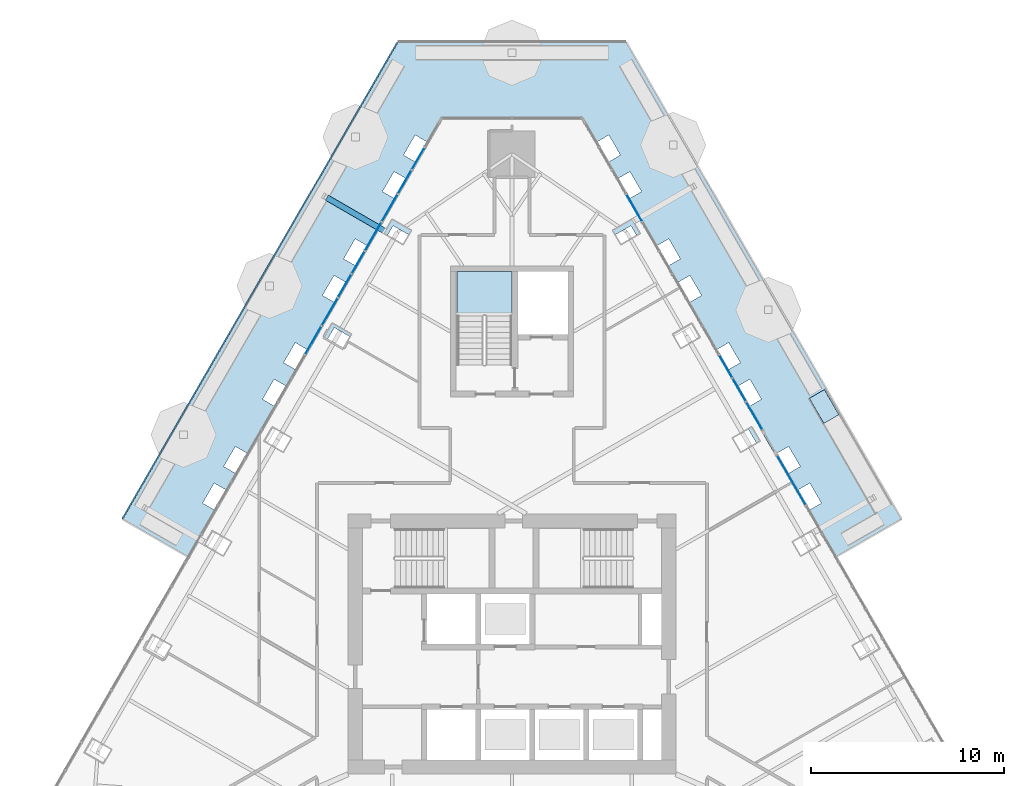
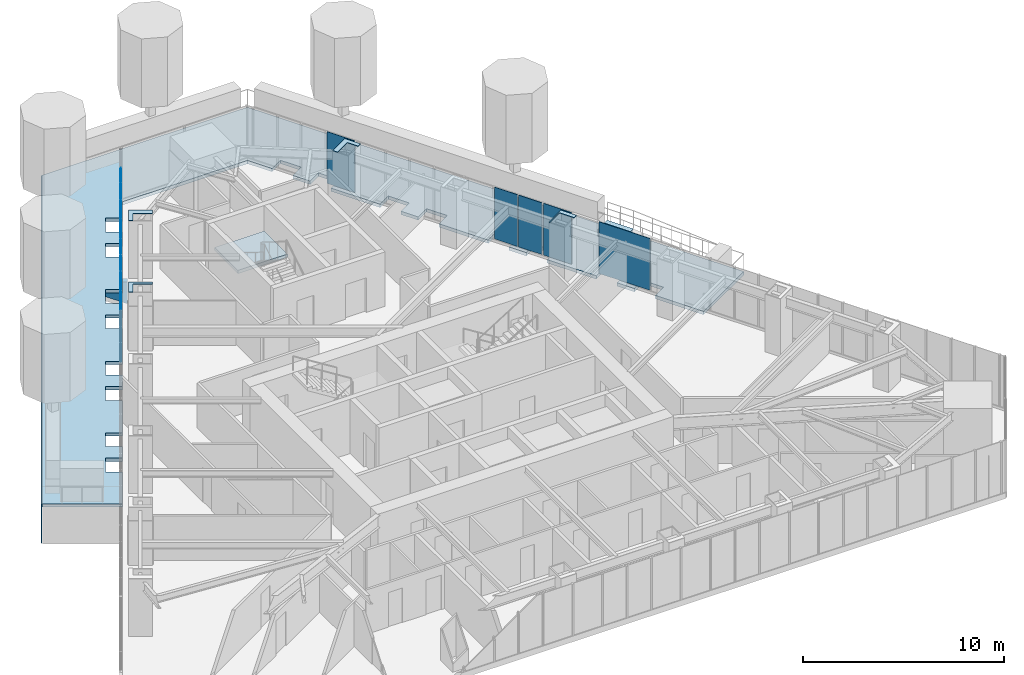
# One storey, part 13 of 22: 19 plates, 3 slabs, 3 elements without a shape of their own.
"""IFC4 building model written with IfcOpenShell, lengths in metres."""

from ifc_helpers import new_model, si_unit, direction, frame, origin, place, context, subcontext, project, spatial, polyline, outline, extrude, material, layer, layer_set, type_object, element, aggregate, save


model = new_model("IFC4")

# Units and contexts
model_context = context("Model", 3, precision=1e-05, world=origin(), true_north=direction((0.0, 1.0)))
body_context = subcontext(model_context, "Body", "Model", "MODEL_VIEW")
ifc_project = project(units=[si_unit("LENGTHUNIT", "METRE"), si_unit("AREAUNIT", "SQUARE_METRE"), si_unit("VOLUMEUNIT", "CUBIC_METRE"), si_unit("PLANEANGLEUNIT", "RADIAN"), si_unit("MASSUNIT", "GRAM", prefix="KILO")], contexts=[model_context])

# Site, building, storey
site_placement = place(None, origin())
site = spatial("IfcSite", under=ifc_project, at=site_placement, CompositionType="ELEMENT")
building_placement = place(site_placement, origin())
building = spatial("IfcBuilding", under=site, at=building_placement, Name="Firuza Gate Tower and Library", CompositionType="ELEMENT")
storey_placement = place(building_placement, frame((0.0, 0.0, 295.10009765625)))
storey = spatial("IfcBuildingStorey", under=building, at=storey_placement, Name="L71", CompositionType="ELEMENT", Elevation=295.10009765625)

# Plates
ifc_material_1 = material(Name="Steel S355", Category="steel")
ifc_layer_1 = layer(ifc_material_1, 0.030029296875)
ifc_layer_set_1 = layer_set([ifc_layer_1], Name="Column infill plate 30 Steel S355")
plate_type_1 = type_object("IfcPlateType", Name="Column infill plate 30 Steel S355", PredefinedType="SHEET", material=ifc_layer_set_1)
placement_1 = place(storey_placement, frame((0.0, 0.0, 3.5)))
element("IfcPlate", 1, at=placement_1, inside=storey, type_object=plate_type_1, Name="Infill plate L71:E4", PredefinedType="SHEET", context=body_context, shape_type="SweptSolid", body=[
    extrude(outline(polyline([(86.39599609375, 85.686279296875), (86.42529296875, 85.635498046875), (87.25927734375, 86.116943359375), (87.679931640625, 85.388427734375), (87.88525390625, 85.5068359375), (87.435302734375, 86.286376953125), (86.39599609375, 85.686279296875)])), origin(), (0.0, 0.0, 1.0), 0.02978515625),
])
element("IfcPlate", 2, at=placement_1, inside=storey, type_object=plate_type_1, Name="Infill plate L71:E6", PredefinedType="SHEET", context=body_context, shape_type="SweptSolid", body=[
    extrude(outline(polyline([(80.1826171875, 96.4482421875), (80.329345703125, 96.194091796875), (81.1630859375, 96.675537109375), (81.466552734375, 96.150146484375), (81.671875, 96.268798828125), (81.221923828125, 97.048095703125), (80.1826171875, 96.4482421875)])), origin(), (0.0, 0.0, 1.0), 0.02978515625),
])
element("IfcPlate", 3, at=placement_1, inside=storey, type_object=plate_type_1, Name="Infill plate L71:W1", PredefinedType="SHEET", context=body_context, shape_type="SweptSolid", body=[
    extrude(outline(polyline([(68.328125, 96.268798828125), (68.533447265625, 96.150146484375), (68.8369140625, 96.675537109375), (69.670654296875, 96.194091796875), (69.8173828125, 96.4482421875), (68.778076171875, 97.048095703125), (68.328125, 96.268798828125)])), origin(), (0.0, 0.0, 1.0), 0.02978515625),
])
element("IfcPlate", 4, at=placement_1, inside=storey, type_object=plate_type_1, Name="Infill plate L71:W2", PredefinedType="SHEET", context=body_context, shape_type="SweptSolid", body=[
    extrude(outline(polyline([(65.221435546875, 90.887939453125), (65.4267578125, 90.769287109375), (65.788818359375, 91.396240234375), (66.622802734375, 90.914794921875), (66.710693359375, 91.067138671875), (65.67138671875, 91.667236328125), (65.221435546875, 90.887939453125)])), origin(), (0.0, 0.0, 1.0), 0.02978515625),
])

# Curtain wall, plates
ifc_material_2 = material(Name="Aluminium 6063-T6", Category="aluminium")
ifc_layer_2 = layer(ifc_material_2, 0.14990234375)
ifc_layer_set_2 = layer_set([ifc_layer_2], Name="Unitised curtain wall, residences")
curtain_wall_type = type_object("IfcCurtainWallType", Name="Unitised curtain wall, residences", PredefinedType="NOTDEFINED", material=ifc_layer_set_2)
placement_2 = place(storey_placement, origin())
curtain_wall_1 = element("IfcCurtainWall", 5, at=placement_2, inside=storey, type_object=curtain_wall_type, Name="CW3 L71 E face", PredefinedType="NOTDEFINED")
ifc_material_3 = material(Name="Fritted glass", Category="glass")
ifc_layer_3 = layer(ifc_material_3, 0.030029296875)
ifc_layer_set_3 = layer_set([ifc_layer_3], Name="Fritted glass unit, residences")
plate_type_2 = type_object("IfcPlateType", Name="Fritted glass unit, residences", PredefinedType="CURTAIN_PANEL", material=ifc_layer_set_3)
plate_5_placement = place(storey_placement, frame((87.974853515625, 86.131591796875, 0.14990234375), z_axis=(0.866030190588, 0.499991708921, 0.0), x_axis=(-0.499991708921, 0.866030190588, 0.0)))
plate_5 = element("IfcPlate", 6, at=plate_5_placement, type_object=plate_type_2, Name="Glass unit", PredefinedType="CURTAIN_PANEL", context=body_context, shape_type="SweptSolid", body=[
    extrude(outline(polyline([(0.0, 0.0), (1.622097210371129, 0.0), (1.622097210371129, 3.14990234375), (0.0, 3.14990234375), (0.0, 0.0)])), origin(), (0.0, 0.0, -1.0), 0.030029296875),
])
plate_6_placement = place(storey_placement, frame((81.7490234375, 96.914794921875, 0.14990234375), z_axis=(0.866043049997, 0.499969434617, 0.0), x_axis=(-0.499969434617, 0.866043049997, 0.0)))
plate_6 = element("IfcPlate", 7, at=plate_6_placement, type_object=plate_type_2, Name="Glass unit", PredefinedType="CURTAIN_PANEL", context=body_context, shape_type="SweptSolid", body=[
    extrude(outline(polyline([(0.0, 0.0), (1.597265610819663, 0.0), (1.597265610819663, 3.14990234375), (0.0, 3.14990234375), (0.0, 0.0)])), origin(), (0.0, 0.0, -1.0), 0.030029296875),
])

curtain_wall_2 = element("IfcCurtainWall", 8, at=placement_2, inside=storey, type_object=curtain_wall_type, Name="CW3 L71 W face", PredefinedType="NOTDEFINED")
plate_7_placement = place(storey_placement, frame((69.049560546875, 98.298095703125, 0.14990234375), z_axis=(-0.866043049997, 0.499969434617, 0.0), x_axis=(-0.499969434617, -0.866043049997, 0.0)))
plate_7 = element("IfcPlate", 9, at=plate_7_placement, type_object=plate_type_2, Name="Glass unit", PredefinedType="CURTAIN_PANEL", context=body_context, shape_type="SweptSolid", body=[
    extrude(outline(polyline([(0.0, 0.0), (1.597265610819663, 0.0), (1.597265610819663, 3.14990234375), (0.0, 3.14990234375), (0.0, 0.0)])), origin(), (0.0, 0.0, -1.0), 0.030029296875),
])
plate_8_placement = place(storey_placement, frame((68.2109375, 96.845703125, 0.14990234375), z_axis=(-0.866043477274, 0.499968694491, 0.0), x_axis=(-0.499968694491, -0.866043477274, 0.0)))
plate_8 = element("IfcPlate", 10, at=plate_8_placement, type_object=plate_type_2, Name="Glass unit", PredefinedType="CURTAIN_PANEL", context=body_context, shape_type="SweptSolid", body=[
    extrude(outline(polyline([(0.0, 0.0), (1.6592835769325203, 0.0), (1.6592835769325203, 3.14990234375), (0.0, 3.14990234375), (0.0, 0.0)])), origin(), (0.0, 0.0, -1.0), 0.030029296875),
])
plate_9_placement = place(storey_placement, frame((65.94287109375, 92.917236328125, 0.14990234375), z_axis=(-0.866003733444, 0.500037532253, 0.0), x_axis=(-0.500037532253, -0.866003733444, 0.0)))
plate_9 = element("IfcPlate", 11, at=plate_9_placement, type_object=plate_type_2, Name="Glass unit", PredefinedType="CURTAIN_PANEL", context=body_context, shape_type="SweptSolid", body=[
    extrude(outline(polyline([(0.0, 0.0), (1.6097424467288448, 0.0), (1.6097424467288448, 3.14990234375), (0.0, 3.14990234375), (0.0, 0.0)])), origin(), (0.0, 0.0, -1.0), 0.030029296875),
])
plate_10_placement = place(storey_placement, frame((65.097900390625, 91.453857421875, 0.14990234375), z_axis=(-0.866044851585, 0.499966313909, 0.0), x_axis=(-0.499966313909, -0.866044851585, 0.0)))
plate_10 = element("IfcPlate", 12, at=plate_10_placement, type_object=plate_type_2, Name="Glass unit", PredefinedType="CURTAIN_PANEL", context=body_context, shape_type="SweptSolid", body=[
    extrude(outline(polyline([(0.0, 0.0), (1.6465953097185018, 0.0), (1.6465953097185018, 3.14990234375), (0.0, 3.14990234375), (0.0, 0.0)])), origin(), (0.0, 0.0, -1.0), 0.030029296875),
])

# Slab
ifc_material_4 = material(Name="Concrete C40/50", Category="concrete")
ifc_layer_4 = layer(ifc_material_4, 0.449951171875)
ifc_layer_set_4 = layer_set([ifc_layer_4], Name="Garden deck 450")
slab_type_1 = type_object("IfcSlabType", Name="Garden deck 450", PredefinedType="FLOOR", material=ifc_layer_set_4)
element("IfcSlab", 13, at=placement_2, inside=storey, type_object=slab_type_1, Name="Garden deck 8", PredefinedType="FLOOR", context=body_context, shape_type="SweptSolid", body=[
    extrude(outline(polyline([(91.940673828125, 86.8828125), (91.18994140625, 88.18310546875), (90.410400390625, 87.733154296875), (91.1611328125, 86.4326171875), (91.940673828125, 86.8828125)])), origin(), (0.0, 0.0, 1.0), 0.449951171875),
])

# Plate
ifc_material_5 = material(Name="Glazed ceramic tile")
ifc_layer_5 = layer(ifc_material_5, 0.030029296875)
ifc_layer_set_5 = layer_set([ifc_layer_5], Name="Opaque ceramic panel, residences")
plate_type_3 = type_object("IfcPlateType", Name="Opaque ceramic panel, residences", PredefinedType="CURTAIN_PANEL", material=ifc_layer_set_5)
plate_11_placement = place(storey_placement, frame((90.23046875, 82.224609375, 0.14990234375), z_axis=(0.866052182145, 0.499953615651, 0.0), x_axis=(-0.499953615651, 0.866052182145, 0.0)))
plate_11 = element("IfcPlate", 14, at=plate_11_placement, type_object=plate_type_3, Name="Opaque ceramic panel", PredefinedType="CURTAIN_PANEL", context=body_context, shape_type="SweptSolid", body=[
    extrude(outline(polyline([(0.0, 0.0), (2.9255643695464384, 0.0), (2.9255643695464384, 3.14990234375), (0.0, 3.14990234375), (0.0, 0.0)])), origin(), (0.0, 0.0, -1.0), 0.030029296875),
])

plate_12_placement = place(storey_placement, frame((87.123779296875, 87.605712890625, 0.14990234375), z_axis=(0.866032814021, 0.499987164874, 0.0), x_axis=(-0.499987164874, 0.866032814021, 0.0)))
plate_12 = element("IfcPlate", 15, at=plate_12_placement, type_object=plate_type_3, Name="Opaque ceramic panel", PredefinedType="CURTAIN_PANEL", context=body_context, shape_type="SweptSolid", body=[
    extrude(outline(polyline([(0.0, 0.0), (1.3306005631008588, 0.0), (1.3306005631008588, 3.14990234375), (0.0, 3.14990234375), (0.0, 0.0)])), origin(), (0.0, 0.0, -1.0), 0.030029296875),
])

plate_13_placement = place(storey_placement, frame((86.41845703125, 88.827392578125, 0.14990234375), z_axis=(0.86601437931, 0.500019094464, 0.0), x_axis=(-0.500019094464, 0.86601437931, 0.0)))
plate_13 = element("IfcPlate", 16, at=plate_13_placement, type_object=plate_type_3, Name="Opaque ceramic panel", PredefinedType="CURTAIN_PANEL", context=body_context, shape_type="SweptSolid", body=[
    extrude(outline(polyline([(0.0, 0.0), (1.3061024650961115, 0.0), (1.3061024650961115, 3.14990234375), (0.0, 3.14990234375), (0.0, 0.0)])), origin(), (0.0, 0.0, -1.0), 0.030029296875),
])

aggregate(curtain_wall_1, [plate_11, plate_5, plate_12, plate_13, plate_6])

plate_14_placement = place(storey_placement, frame((70.447998046875, 100.720458984375, 0.14990234375), z_axis=(-0.866077727632, 0.499909361484, 0.0), x_axis=(-0.499909361484, -0.866077727632, 0.0)))
plate_14 = element("IfcPlate", 17, at=plate_14_placement, type_object=plate_type_3, Name="Opaque ceramic panel", PredefinedType="CURTAIN_PANEL", context=body_context, shape_type="SweptSolid", body=[
    extrude(outline(polyline([(0.0, 0.0), (1.2814823033081717, 0.0), (1.2814823033081717, 3.14990234375), (0.0, 3.14990234375), (0.0, 0.0)])), origin(), (0.0, 0.0, -1.0), 0.030029296875),
])

plate_15_placement = place(storey_placement, frame((69.767333984375, 99.54150390625, 0.14990234375), z_axis=(-0.866062633531, 0.499935510643, 0.0), x_axis=(-0.499935510643, -0.866062633531, 0.0)))
plate_15 = element("IfcPlate", 18, at=plate_15_placement, type_object=plate_type_3, Name="Opaque ceramic panel", PredefinedType="CURTAIN_PANEL", context=body_context, shape_type="SweptSolid", body=[
    extrude(outline(polyline([(0.0, 0.0), (1.3556435991684768, 0.0), (1.3556435991684768, 3.14990234375), (0.0, 3.14990234375), (0.0, 0.0)])), origin(), (0.0, 0.0, -1.0), 0.030029296875),
])

plate_16_placement = place(storey_placement, frame((67.34130859375, 95.33935546875, 0.14990234375), z_axis=(-0.865981306888, 0.500076370288, 0.0), x_axis=(-0.500076370288, -0.865981306888, 0.0)))
plate_16 = element("IfcPlate", 19, at=plate_16_placement, type_object=plate_type_3, Name="Opaque ceramic panel", PredefinedType="CURTAIN_PANEL", context=body_context, shape_type="SweptSolid", body=[
    extrude(outline(polyline([(0.0, 0.0), (1.2937477047296333, 0.0), (1.2937477047296333, 3.14990234375), (0.0, 3.14990234375), (0.0, 0.0)])), origin(), (0.0, 0.0, -1.0), 0.030029296875),
])

plate_17_placement = place(storey_placement, frame((66.654541015625, 94.149658203125, 0.14990234375), z_axis=(-0.865985784051, 0.500068617113, 0.0), x_axis=(-0.500068617113, -0.865985784051, 0.0)))
plate_17 = element("IfcPlate", 20, at=plate_17_placement, type_object=plate_type_3, Name="Opaque ceramic panel", PredefinedType="CURTAIN_PANEL", context=body_context, shape_type="SweptSolid", body=[
    extrude(outline(polyline([(0.0, 0.0), (1.343077402562881, 0.0), (1.343077402562881, 3.14990234375), (0.0, 3.14990234375), (0.0, 0.0)])), origin(), (0.0, 0.0, -1.0), 0.030029296875),
])

aggregate(curtain_wall_2, [plate_14, plate_15, plate_7, plate_8, plate_16, plate_17, plate_9, plate_10])

# Slab
ifc_material_6 = material(Name="Concrete C40/50", Category="concrete")
ifc_layer_6 = layer(ifc_material_6, 0.199951171875)
ifc_layer_set_6 = layer_set([ifc_layer_6], Name="Planter tray slab 200 C40/50")
slab_type_2 = type_object("IfcSlabType", Name="Planter tray slab 200 C40/50", PredefinedType="FLOOR", material=ifc_layer_set_6)
slab_2_placement = place(storey_placement, frame((0.0, 0.0, -0.2001953125)))
element("IfcSlab", 21, at=slab_2_placement, inside=storey, type_object=slab_type_2, Name="Planter tray L71 band 8", PredefinedType="FLOOR", context=body_context, shape_type="SweptSolid", body=[
    extrude(outline(polyline([(58.28759765625, 79.47802734375), (59.67919921875, 81.888427734375), (58.96484375, 82.301025390625), (59.56494140625, 83.34033203125), (60.279296875, 82.927734375), (60.77392578125, 83.78466796875), (60.0595703125, 84.197021484375), (60.65966796875, 85.236328125), (61.3740234375, 84.823974609375), (62.785888671875, 87.269287109375), (62.071533203125, 87.681884765625), (62.67138671875, 88.72119140625), (63.385986328125, 88.30859375), (63.880615234375, 89.16552734375), (63.166259765625, 89.578125), (63.76611328125, 90.6171875), (64.480712890625, 90.204833984375), (65.892578125, 92.650390625), (65.17822265625, 93.062744140625), (65.778076171875, 94.10205078125), (66.49267578125, 93.689453125), (66.9873046875, 94.54638671875), (66.27294921875, 94.958984375), (66.872802734375, 95.998291015625), (67.58740234375, 95.585693359375), (68.999267578125, 98.03125), (68.284912109375, 98.443603515625), (68.884765625, 99.48291015625), (69.599365234375, 99.070556640625), (70.093994140625, 99.92724609375), (69.379638671875, 100.33984375), (69.9794921875, 101.379150390625), (70.694091796875, 100.966552734375), (71.39990234375, 102.189453125), (78.60009765625, 102.189453125), (79.305908203125, 100.966552734375), (80.0205078125, 101.379150390625), (80.620361328125, 100.33984375), (79.906005859375, 99.92724609375), (80.400634765625, 99.070556640625), (81.115234375, 99.48291015625), (81.715087890625, 98.443603515625), (81.000732421875, 98.03125), (82.41259765625, 95.585693359375), (83.127197265625, 95.998291015625), (83.72705078125, 94.958984375), (83.0126953125, 94.54638671875), (83.50732421875, 93.689453125), (84.221923828125, 94.10205078125), (84.82177734375, 93.062744140625), (84.107421875, 92.650390625), (85.519287109375, 90.204833984375), (86.23388671875, 90.6171875), (86.833740234375, 89.578125), (86.119384765625, 89.16552734375), (86.614013671875, 88.30859375), (87.32861328125, 88.72119140625), (87.928466796875, 87.681884765625), (87.214111328125, 87.269287109375), (88.6259765625, 84.823974609375), (89.34033203125, 85.236328125), (89.9404296875, 84.197021484375), (89.22607421875, 83.78466796875), (89.720703125, 82.927734375), (90.43505859375, 83.34033203125), (91.03515625, 82.301025390625), (90.32080078125, 81.888427734375), (91.71240234375, 79.47802734375), (95.176513671875, 81.47802734375), (80.909423828125, 106.189453125), (69.090576171875, 106.189453125), (54.823486328125, 81.47802734375), (58.28759765625, 79.47802734375)])), origin(), (0.0, 0.0, 1.0), 0.2001953125),
])

# Stair, slab
ifc_material_7 = material(Name="Concrete C35/45", Category="concrete")
stair_type = type_object("IfcStairType", Name="Exit stair ST17", PredefinedType="HALF_TURN_STAIR", material=ifc_material_7)
stair = element("IfcStair", 22, at=placement_2, inside=storey, type_object=stair_type, Name="L71 Stair ST3", PredefinedType="HALF_TURN_STAIR")
ifc_material_8 = material(Name="Concrete C35/45", Category="concrete")
ifc_layer_7 = layer(ifc_material_8, 0.199951171875)
ifc_layer_set_7 = layer_set([ifc_layer_7], Name="Stair landing 200")
slab_type_3 = type_object("IfcSlabType", Name="Stair landing 200", PredefinedType="LANDING", material=ifc_layer_set_7)
slab_3_placement = place(storey_placement, frame((0.0, 0.0, 1.5498046875)))
slab_3 = element("IfcSlab", 23, at=slab_3_placement, type_object=slab_type_3, Name="ST3 landing 1", PredefinedType="LANDING", context=body_context, shape_type="SweptSolid", body=[
    extrude(outline(polyline([(75.0, 91.989990234375), (75.0, 94.300048828125), (72.159912109375, 94.300048828125), (72.159912109375, 91.989990234375), (75.0, 91.989990234375)])), origin(), (0.0, 0.0, 1.0), 0.2001953125),
])
aggregate(stair, [slab_3])

# Plates
ifc_material_9 = material(Name="Steel S355", Category="steel")
ifc_layer_8 = layer(ifc_material_9, 0.300048828125)
ifc_layer_set_8 = layer_set([ifc_layer_8], Name="Tray bracket web 300 Steel S355")
plate_type_4 = type_object("IfcPlateType", Name="Tray bracket web 300 Steel S355", PredefinedType="SHEET", material=ifc_layer_set_8)
plate_18_placement = place(storey_placement, frame((68.298095703125, 96.285888671875, -0.2001953125), z_axis=(-0.50005106974, -0.865995916649, 0.0), x_axis=(-0.865995916649, 0.50005106974, 0.0)))
element("IfcPlate", 24, at=plate_18_placement, inside=storey, type_object=plate_type_4, Name="Tray bracket web L71 col:L70:W1", PredefinedType="SHEET", context=body_context, shape_type="SweptSolid", body=[
    extrude(outline(polyline([(0.0, 0.0), (3.429825460661424, 0.0), (0.0, 1.333984375), (0.0, 0.0)])), origin(), (0.0, 0.0, -1.0), 0.300048828125),
])
ifc_material_10 = material(Name="Aluminium 6063-T6", Category="aluminium")
ifc_layer_9 = layer(ifc_material_10, 0.050048828125)
ifc_layer_set_9 = layer_set([ifc_layer_9], Name="Tray fascia panel 50")
plate_type_5 = type_object("IfcPlateType", Name="Tray fascia panel 50", PredefinedType="SHEET", material=ifc_layer_set_9)
plate_19_placement = place(storey_placement, frame((69.031982421875, 106.18798828125, -2.400146484375), z_axis=(-0.866022096595, 0.500005728176, 0.0), x_axis=(-0.500005728176, -0.866022096595, 0.0)))
element("IfcPlate", 25, at=plate_19_placement, inside=storey, type_object=plate_type_5, Name="Tray fascia L71 3", PredefinedType="SHEET", context=body_context, shape_type="SweptSolid", body=[
    extrude(outline(polyline([(0.0, 0.0), (28.47379488793723, 0.0), (28.47379488793723, 2.400146484375), (0.0, 2.400146484375), (0.0, 0.0)])), origin(), (0.0, 0.0, -1.0), 0.050048828125),
])

save(model, "model.ifc")
